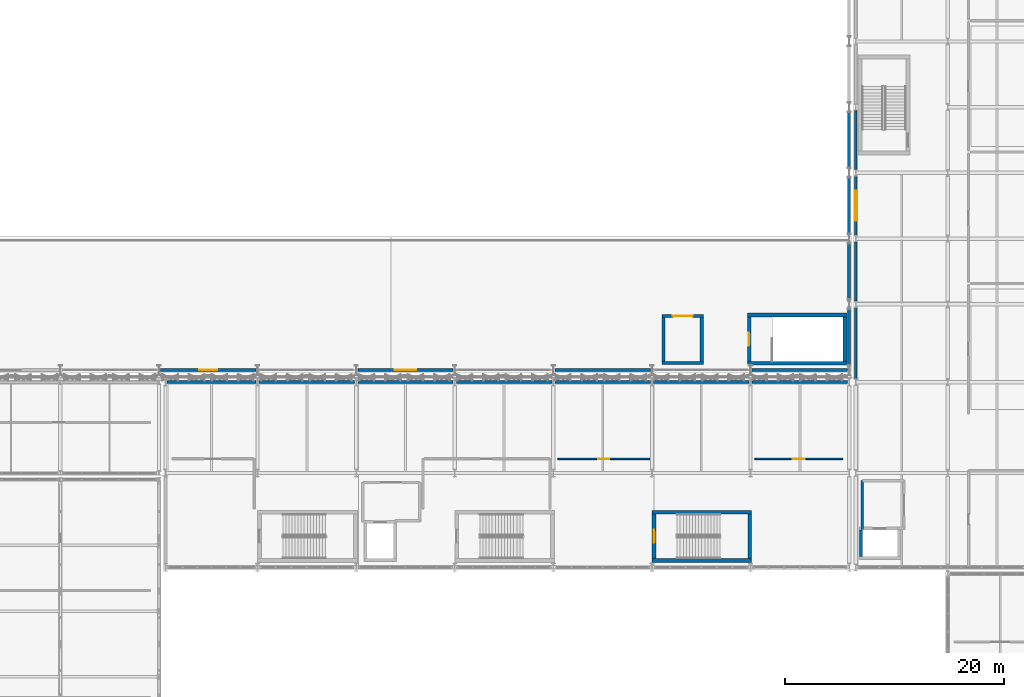
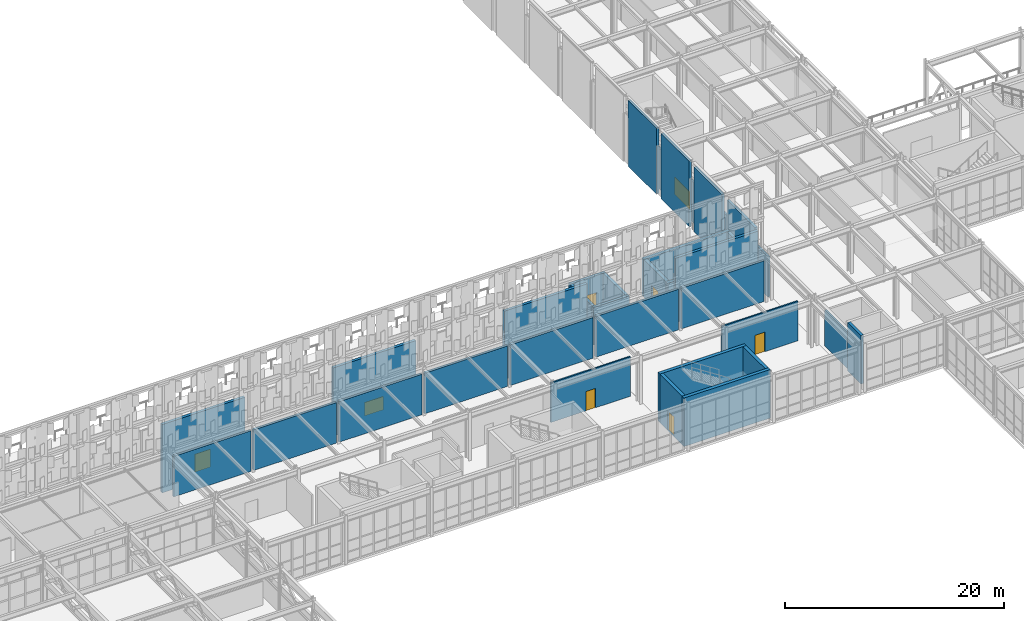
# One storey, part 157 of 210: 35 walls, 5 doors, 3 windows, 8 openings.
"""IFC4 building model written with IfcOpenShell, lengths in metres."""

from ifc_helpers import new_model, si_unit, direction, frame, frame_2d, origin, place, context, subcontext, project, spatial, rectangle, extrude, material, layer, layer_set, type_object, element, fill, save


model = new_model("IFC4")

# Units and contexts
model_context = context("Model", 3, precision=1e-05, world=origin(), true_north=direction((0.0, 1.0)))
body_context = subcontext(model_context, "Body", "Model", "MODEL_VIEW")
ifc_project = project(units=[si_unit("LENGTHUNIT", "METRE"), si_unit("AREAUNIT", "SQUARE_METRE"), si_unit("VOLUMEUNIT", "CUBIC_METRE"), si_unit("PLANEANGLEUNIT", "RADIAN"), si_unit("MASSUNIT", "GRAM", prefix="KILO")], contexts=[model_context])

# Site, building, storey
site_placement = place(None, origin())
site = spatial("IfcSite", under=ifc_project, at=site_placement, CompositionType="ELEMENT")
building_placement = place(site_placement, origin())
building = spatial("IfcBuilding", under=site, at=building_placement, Name="Kaldris Quays Convention Centre", CompositionType="ELEMENT")
storey_placement = place(building_placement, frame((0.0, 0.0, 6.0)))
storey = spatial("IfcBuildingStorey", under=building, at=storey_placement, Name="L01", CompositionType="ELEMENT", Elevation=6.0)

# Wall, opening, window
ifc_material_1 = material(Name="Precast concrete C40/50", Category="concrete")
ifc_layer_1 = layer(ifc_material_1, 0.2880859375)
ifc_layer_set_1 = layer_set([ifc_layer_1], Name="Precast concrete C40/50")
wall_type_1 = type_object("IfcWallType", Name="EXTERIOR WALL EW03", PredefinedType="STANDARD", material=ifc_layer_set_1)
wall_1_placement = place(storey_placement, frame((83.14599609375, 56.0, 0.0), z_axis=(0.0, 0.0, 1.0), x_axis=(1.0, 0.0, 0.0)))
wall_1 = element("IfcWall", 1, at=wall_1_placement, inside=storey, type_object=wall_type_1, Name="L01 Exterior Wall EW03 23", PredefinedType="STANDARD", context=body_context, shape_type="SweptSolid", body=[
    extrude(rectangle(XDim=8.7080078125, YDim=0.2880859375, at=frame_2d((4.35400390625, 0.0))), origin(), (0.0, 0.0, 1.0), 7.60009765625),
])
opening_1_placement = place(wall_1_placement, frame((3.529052734375, 0.0, 1.0)))
opening_1 = element("IfcOpeningElement", 2, at=opening_1_placement, cuts=wall_1, Name="Opening WN15", PredefinedType="OPENING", context=body_context, shape_type="SweptSolid", body=[
    extrude(rectangle(XDim=1.64990234375, YDim=2.0, at=frame_2d((0.824951171875, 1.0))), frame((0.0, 0.154052734375, 0.0), z_axis=(0.0, -1.0, 0.0), x_axis=(1.0, 0.0, 0.0)), (0.0, 0.0, 1.0), 0.30810546875),
])
ifc_material_2 = material(Name="Triple low-E insulated glazing", Category="glass")
window_type_1 = type_object("IfcWindowType", Name="TRIPLE GLAZED WINDOW WN15", PartitioningType="SINGLE_PANEL", PredefinedType="WINDOW", material=ifc_material_2)
window_1_placement = place(opening_1_placement, origin())
window_1 = element("IfcWindow", 3, at=window_1_placement, inside=storey, type_object=window_type_1, Name="L01 Exterior Window WN15 10", OverallHeight=2.0, OverallWidth=1.64990234375, PartitioningType="SINGLE_PANEL", PredefinedType="WINDOW", context=body_context, shape_type="SweptSolid", body=[
    extrude(rectangle(XDim=1.64990234375, YDim=2.0, at=frame_2d((0.824951171875, 1.0))), frame((0.0, 0.030029296875, 0.0), z_axis=(0.0, -1.0, 0.0), x_axis=(1.0, 0.0, 0.0)), (0.0, 0.0, 1.0), 0.06005859375),
])
fill(opening_1, window_1)

wall_2_placement = place(storey_placement, frame((101.14599609375, 56.0, 0.0), z_axis=(0.0, 0.0, 1.0), x_axis=(1.0, 0.0, 0.0)))
wall_2 = element("IfcWall", 4, at=wall_2_placement, inside=storey, type_object=wall_type_1, Name="L01 Exterior Wall EW03 29", PredefinedType="STANDARD", context=body_context, shape_type="SweptSolid", body=[
    extrude(rectangle(XDim=8.7080078125, YDim=0.2880859375, at=frame_2d((4.35400390625, 0.0))), origin(), (0.0, 0.0, 1.0), 7.60009765625),
])
opening_2_placement = place(wall_2_placement, frame((3.37890625, 0.0, 1.0)))
opening_2 = element("IfcOpeningElement", 5, at=opening_2_placement, cuts=wall_2, Name="Opening WN18", PredefinedType="OPENING", context=body_context, shape_type="SweptSolid", body=[
    extrude(rectangle(XDim=1.949951171875, YDim=1.5, at=frame_2d((0.97509765625, 0.75))), frame((0.0, 0.154052734375, 0.0), z_axis=(0.0, -1.0, 0.0), x_axis=(1.0, 0.0, 0.0)), (0.0, 0.0, 1.0), 0.30810546875),
])
window_type_2 = type_object("IfcWindowType", Name="TRIPLE GLAZED WINDOW WN18", PartitioningType="SINGLE_PANEL", PredefinedType="WINDOW", material=ifc_material_2)
window_2_placement = place(opening_2_placement, origin())
window_2 = element("IfcWindow", 6, at=window_2_placement, inside=storey, type_object=window_type_2, Name="L01 Exterior Window WN18 13", OverallHeight=1.5, OverallWidth=1.949951171875, PartitioningType="SINGLE_PANEL", PredefinedType="WINDOW", context=body_context, shape_type="SweptSolid", body=[
    extrude(rectangle(XDim=1.949951171875, YDim=1.5, at=frame_2d((0.97509765625, 0.75))), frame((0.0, 0.030029296875, 0.0), z_axis=(0.0, -1.0, 0.0), x_axis=(1.0, 0.0, 0.0)), (0.0, 0.0, 1.0), 0.06005859375),
])
fill(opening_2, window_2)

# Walls
wall_3_placement = place(storey_placement, frame((119.14599609375, 56.0, 0.0), z_axis=(0.0, 0.0, 1.0), x_axis=(1.0, 0.0, 0.0)))
element("IfcWall", 7, at=wall_3_placement, inside=storey, type_object=wall_type_1, Name="L01 Exterior Wall EW03 35", PredefinedType="STANDARD", context=body_context, shape_type="SweptSolid", body=[
    extrude(rectangle(XDim=8.7080078125, YDim=0.2880859375, at=frame_2d((4.35400390625, 0.0))), origin(), (0.0, 0.0, 1.0), 7.60009765625),
])
wall_4_placement = place(storey_placement, frame((137.14599609375, 56.0, 0.0), z_axis=(0.0, 0.0, 1.0), x_axis=(1.0, 0.0, 0.0)))
element("IfcWall", 8, at=wall_4_placement, inside=storey, type_object=wall_type_1, Name="L01 Exterior Wall EW03 41", PredefinedType="STANDARD", context=body_context, shape_type="SweptSolid", body=[
    extrude(rectangle(XDim=8.7080078125, YDim=0.2880859375, at=frame_2d((4.35400390625, 0.0))), origin(), (0.0, 0.0, 1.0), 7.18505859375),
])
ifc_layer_2 = layer(ifc_material_1, 0.263916015625)
ifc_layer_set_2 = layer_set([ifc_layer_2], Name="Precast concrete C40/50")
wall_type_2 = type_object("IfcWallType", Name="EXTERIOR WALL EW04", PredefinedType="STANDARD", material=ifc_layer_set_2)
wall_5_placement = place(storey_placement, frame((146.0, 56.446044921875, 0.0), z_axis=(0.0, 0.0, 1.0), x_axis=(0.0, 1.0, 0.0)))
element("IfcWall", 9, at=wall_5_placement, inside=storey, type_object=wall_type_2, Name="L01 Exterior Wall EW04 45", PredefinedType="STANDARD", context=body_context, shape_type="SweptSolid", body=[
    extrude(rectangle(XDim=5.10791015625, YDim=0.263916015625, at=frame_2d((2.553955078125, 0.0))), origin(), (0.0, 0.0, 1.0), 7.18505859375),
])
wall_6_placement = place(storey_placement, frame((146.0, 62.446044921875, 0.0), z_axis=(0.0, 0.0, 1.0), x_axis=(0.0, 1.0, 0.0)))
element("IfcWall", 10, at=wall_6_placement, inside=storey, type_object=wall_type_2, Name="L01 Exterior Wall EW04 49", PredefinedType="STANDARD", context=body_context, shape_type="SweptSolid", body=[
    extrude(rectangle(XDim=5.10791015625, YDim=0.263916015625, at=frame_2d((2.553955078125, 0.0))), origin(), (0.0, 0.0, 1.0), 7.22509765625),
])
wall_7_placement = place(storey_placement, frame((146.0, 68.446044921875, 0.0), z_axis=(0.0, 0.0, 1.0), x_axis=(0.0, 1.0, 0.0)))
element("IfcWall", 11, at=wall_7_placement, inside=storey, type_object=wall_type_2, Name="L01 Exterior Wall EW04 52", PredefinedType="STANDARD", context=body_context, shape_type="SweptSolid", body=[
    extrude(rectangle(XDim=5.10791015625, YDim=0.263916015625, at=frame_2d((2.553955078125, 0.0))), origin(), (0.0, 0.0, 1.0), 7.304931640625),
])
wall_8_placement = place(storey_placement, frame((146.0, 74.446044921875, 0.0), z_axis=(0.0, 0.0, 1.0), x_axis=(0.0, 1.0, 0.0)))
element("IfcWall", 12, at=wall_8_placement, inside=storey, type_object=wall_type_2, Name="L01 Exterior Wall EW04 56", PredefinedType="STANDARD", context=body_context, shape_type="SweptSolid", body=[
    extrude(rectangle(XDim=5.10791015625, YDim=0.263916015625, at=frame_2d((2.553955078125, 0.0))), origin(), (0.0, 0.0, 1.0), 7.344970703125),
])
wall_9_placement = place(storey_placement, frame((83.74609375, 54.89990234375, 0.0), z_axis=(0.0, 0.0, 1.0), x_axis=(1.0, 0.0, 0.0)))
element("IfcWall", 13, at=wall_9_placement, inside=storey, type_object=wall_type_2, Name="L01 Exterior Wall EW04 239", PredefinedType="STANDARD", context=body_context, shape_type="SweptSolid", body=[
    extrude(rectangle(XDim=8.10791015625, YDim=0.263916015625, at=frame_2d((4.053955078125, 0.0))), origin(), (0.0, 0.0, 1.0), 4.51806640625),
])
for number, where, z_axis, x_axis, name in (
    (14, (92.14599609375, 54.89990234375, 0.0), (0.0, 0.0, 1.0), (1.0, 0.0, 0.0), "L01 Exterior Wall EW04 240"),
    (15, (101.14599609375, 54.89990234375, 0.0), (0.0, 0.0, 1.0), (1.0, 0.0, 0.0), "L01 Exterior Wall EW04 241"),
    (16, (110.14599609375, 54.89990234375, 0.0), (0.0, 0.0, 1.0), (1.0, 0.0, 0.0), "L01 Exterior Wall EW04 242"),
    (17, (119.14599609375, 54.89990234375, 0.0), (0.0, 0.0, 1.0), (1.0, 0.0, 0.0), "L01 Exterior Wall EW04 243"),
    (18, (128.14599609375, 54.89990234375, 0.0), (0.0, 0.0, 1.0), (1.0, 0.0, 0.0), "L01 Exterior Wall EW04 244"),
    (19, (137.14599609375, 54.89990234375, 0.0), (0.0, 0.0, 1.0), (1.0, 0.0, 0.0), "L01 Exterior Wall EW04 245"),
):
    element("IfcWall", number, at=place(storey_placement, frame(where, z_axis=z_axis, x_axis=x_axis)), inside=storey, type_object=wall_type_2, Name=name, PredefinedType="STANDARD", context=body_context, shape_type="SweptSolid", body=[
        extrude(rectangle(XDim=8.7080078125, YDim=0.263916015625, at=frame_2d((4.35400390625, 0.0))), origin(), (0.0, 0.0, 1.0), 4.51806640625),
    ])
ifc_material_3 = material(Name="Anodized aluminium insulated cassette", Category="aluminium")
ifc_layer_3 = layer(ifc_material_3, 0.201904296875)
ifc_layer_set_3 = layer_set([ifc_layer_3], Name="Anodized aluminium insulated cassette")
wall_type_3 = type_object("IfcWallType", Name="EXTERIOR WALL EW07", PredefinedType="STANDARD", material=ifc_layer_set_3)
wall_10_placement = place(storey_placement, frame((146.60009765625, 55.196044921875, 0.0), z_axis=(0.0, 0.0, 1.0), x_axis=(0.0, 1.0, 0.0)))
element("IfcWall", 20, at=wall_10_placement, inside=storey, type_object=wall_type_3, Name="L01 Exterior Wall EW07 290", PredefinedType="STANDARD", context=body_context, shape_type="SweptSolid", body=[
    extrude(rectangle(XDim=6.508056640625, YDim=0.201904296875, at=frame_2d((3.25390625, 0.0))), origin(), (0.0, 0.0, 1.0), 4.51806640625),
])
wall_11_placement = place(storey_placement, frame((146.60009765625, 62.2958984375, 0.0), z_axis=(0.0, 0.0, 1.0), x_axis=(0.0, 1.0, 0.0)))
element("IfcWall", 21, at=wall_11_placement, inside=storey, type_object=wall_type_3, Name="L01 Exterior Wall EW07 292", PredefinedType="STANDARD", context=body_context, shape_type="SweptSolid", body=[
    extrude(rectangle(XDim=5.408203125, YDim=0.201904296875, at=frame_2d((2.7041015625, 0.0))), origin(), (0.0, 0.0, 1.0), 4.51806640625),
])

# Wall, opening, window
wall_12_placement = place(storey_placement, frame((146.60009765625, 68.2958984375, 0.0), z_axis=(0.0, 0.0, 1.0), x_axis=(0.0, 1.0, 0.0)))
wall_12 = element("IfcWall", 22, at=wall_12_placement, inside=storey, type_object=wall_type_3, Name="L01 Exterior Wall EW07 294", PredefinedType="STANDARD", context=body_context, shape_type="SweptSolid", body=[
    extrude(rectangle(XDim=5.408203125, YDim=0.201904296875, at=frame_2d((2.7041015625, 0.0))), origin(), (0.0, 0.0, 1.0), 4.51806640625),
])
opening_3_placement = place(wall_12_placement, frame((1.35400390625, 0.0, 1.0)))
opening_3 = element("IfcOpeningElement", 23, at=opening_3_placement, cuts=wall_12, Name="Opening WN05", PredefinedType="OPENING", context=body_context, shape_type="SweptSolid", body=[
    extrude(rectangle(XDim=2.699951171875, YDim=1.949951171875, at=frame_2d((1.35009765625, 0.97509765625))), frame((0.0, 0.11083984375, 0.0), z_axis=(0.0, -1.0, 0.0), x_axis=(1.0, 0.0, 0.0)), (0.0, 0.0, 1.0), 0.221923828125),
])
window_type_3 = type_object("IfcWindowType", Name="TRIPLE GLAZED WINDOW WN05", PartitioningType="SINGLE_PANEL", PredefinedType="WINDOW", material=ifc_material_2)
window_3_placement = place(opening_3_placement, origin())
window_3 = element("IfcWindow", 24, at=window_3_placement, inside=storey, type_object=window_type_3, Name="L01 Exterior Window WN05 91", OverallHeight=1.949951171875, OverallWidth=2.699951171875, PartitioningType="SINGLE_PANEL", PredefinedType="WINDOW", context=body_context, shape_type="SweptSolid", body=[
    extrude(rectangle(XDim=2.699951171875, YDim=1.949951171875, at=frame_2d((1.35009765625, 0.97509765625))), frame((0.0, 0.030029296875, 0.0), z_axis=(0.0, -1.0, 0.0), x_axis=(1.0, 0.0, 0.0)), (0.0, 0.0, 1.0), 0.06005859375),
])
fill(opening_3, window_3)

# Walls
wall_13_placement = place(storey_placement, frame((146.60009765625, 74.2958984375, 0.0), z_axis=(0.0, 0.0, 1.0), x_axis=(0.0, 1.0, 0.0)))
element("IfcWall", 25, at=wall_13_placement, inside=storey, type_object=wall_type_3, Name="L01 Exterior Wall EW07 296", PredefinedType="STANDARD", context=body_context, shape_type="SweptSolid", body=[
    extrude(rectangle(XDim=5.408203125, YDim=0.201904296875, at=frame_2d((2.7041015625, 0.0))), origin(), (0.0, 0.0, 1.0), 4.51806640625),
])
ifc_material_4 = material(Name="Concrete C35/45", Category="concrete")
ifc_layer_4 = layer(ifc_material_4, 0.199951171875)
ifc_layer_set_4 = layer_set([ifc_layer_4], Name="Concrete C35/45")
wall_type_4 = type_object("IfcWallType", Name="INTERIOR WALL IW01", PredefinedType="PARTITIONING", material=ifc_layer_set_4)
wall_14_placement = place(storey_placement, frame((147.199951171875, 41.449951171875, 0.0), z_axis=(0.0, 0.0, 1.0), x_axis=(0.0, 1.0, 0.0)))
element("IfcWall", 26, at=wall_14_placement, inside=storey, type_object=wall_type_4, Name="L01 Firefighting Lift Lobby FL02 Wall W", PredefinedType="PARTITIONING", context=body_context, shape_type="SweptSolid", body=[
    extrude(rectangle(XDim=4.449951171875, YDim=0.199951171875, at=frame_2d((2.22509765625, 0.0))), origin(), (0.0, 0.0, 1.0), 4.0),
])

# Wall, opening, door
ifc_material_5 = material(Name="Acoustic gypsum stud partition", Category="gypsum")
ifc_layer_5 = layer(ifc_material_5, 0.14794921875)
ifc_layer_set_5 = layer_set([ifc_layer_5], Name="Acoustic gypsum stud partition")
wall_type_5 = type_object("IfcWallType", Name="INTERIOR WALL IW04", PredefinedType="PARTITIONING", material=ifc_layer_set_5)
wall_15_placement = place(storey_placement, frame((119.39990234375, 47.89990234375, 0.0), z_axis=(0.0, 0.0, 1.0), x_axis=(1.0, 0.0, 0.0)))
wall_15 = element("IfcWall", 27, at=wall_15_placement, inside=storey, type_object=wall_type_5, Name="L01 Interior Wall IW04 58", PredefinedType="PARTITIONING", context=body_context, shape_type="SweptSolid", body=[
    extrude(rectangle(XDim=8.400146484375, YDim=0.14794921875, at=frame_2d((4.2001953125, 0.0))), origin(), (0.0, 0.0, 1.0), 4.39990234375),
])
opening_4_placement = place(wall_15_placement, frame((3.699951171875, 0.0, 0.0)))
opening_4 = element("IfcOpeningElement", 28, at=opening_4_placement, cuts=wall_15, Name="Opening ID04", PredefinedType="OPENING", context=body_context, shape_type="SweptSolid", body=[
    extrude(rectangle(XDim=1.0, YDim=2.14990234375, at=frame_2d((0.5, 1.074951171875))), frame((0.0, 0.083984375, 0.0), z_axis=(0.0, -1.0, 0.0), x_axis=(1.0, 0.0, 0.0)), (0.0, 0.0, 1.0), 0.16796875),
])
ifc_material_6 = material(Name="Timber acoustic leaf in steel frame", Category="steel")
door_type_1 = type_object("IfcDoorType", Name="INTERIOR DOOR ID04", OperationType="NOTDEFINED", PredefinedType="DOOR", material=ifc_material_6)
door_1_placement = place(opening_4_placement, origin())
door_1 = element("IfcDoor", 29, at=door_1_placement, inside=storey, type_object=door_type_1, Name="L01 Interior Door ID04 40", OperationType="SINGLE_SWING_RIGHT", OverallHeight=2.14990234375, OverallWidth=1.0, PredefinedType="DOOR", context=body_context, shape_type="SweptSolid", body=[
    extrude(rectangle(XDim=1.0, YDim=2.14990234375, at=frame_2d((0.5, 1.074951171875))), frame((0.0, 0.02490234375, 0.0), z_axis=(0.0, -1.0, 0.0), x_axis=(1.0, 0.0, 0.0)), (0.0, 0.0, 1.0), 0.050048828125),
])
fill(opening_4, door_1)

wall_16_placement = place(storey_placement, frame((137.39990234375, 47.89990234375, 0.0), z_axis=(0.0, 0.0, 1.0), x_axis=(1.0, 0.0, 0.0)))
wall_16 = element("IfcWall", 30, at=wall_16_placement, inside=storey, type_object=wall_type_5, Name="L01 Interior Wall IW04 59", PredefinedType="PARTITIONING", context=body_context, shape_type="SweptSolid", body=[
    extrude(rectangle(XDim=8.0, YDim=0.14794921875, at=frame_2d((4.0, 0.0))), origin(), (0.0, 0.0, 1.0), 4.39990234375),
])
opening_5_placement = place(wall_16_placement, frame((3.469970703125, 0.0, 0.0)))
opening_5 = element("IfcOpeningElement", 31, at=opening_5_placement, cuts=wall_16, Name="Opening ID05", PredefinedType="OPENING", context=body_context, shape_type="SweptSolid", body=[
    extrude(rectangle(XDim=1.06005859375, YDim=2.179931640625, at=frame_2d((0.530029296875, 1.08984375))), frame((0.0, 0.083984375, 0.0), z_axis=(0.0, -1.0, 0.0), x_axis=(1.0, 0.0, 0.0)), (0.0, 0.0, 1.0), 0.16796875),
])
door_type_2 = type_object("IfcDoorType", Name="INTERIOR DOOR ID05", OperationType="NOTDEFINED", PredefinedType="DOOR", material=ifc_material_6)
door_2_placement = place(opening_5_placement, origin())
door_2 = element("IfcDoor", 32, at=door_2_placement, inside=storey, type_object=door_type_2, Name="L01 Interior Door ID05 41", OperationType="SINGLE_SWING_LEFT", OverallHeight=2.179931640625, OverallWidth=1.06005859375, PredefinedType="DOOR", context=body_context, shape_type="SweptSolid", body=[
    extrude(rectangle(XDim=1.06005859375, YDim=2.179931640625, at=frame_2d((0.530029296875, 1.08984375))), frame((0.0, 0.02490234375, 0.0), z_axis=(0.0, -1.0, 0.0), x_axis=(1.0, 0.0, 0.0)), (0.0, 0.0, 1.0), 0.050048828125),
])
fill(opening_5, door_2)

# Walls
ifc_material_7 = material(Name="Concrete C40/50", Category="concrete")
ifc_layer_6 = layer(ifc_material_7, 0.35009765625)
ifc_layer_set_6 = layer_set([ifc_layer_6], Name="Concrete C40/50")
wall_type_6 = type_object("IfcWallType", Name="STRUCTURAL WALL SW01", PredefinedType="SHEAR", material=ifc_layer_set_6)
for number, where, z_axis, x_axis, name in (
    (33, (136.699951171875, 56.625, 0.0), (0.0, 0.0, 1.0), (1.0, 0.0, 0.0), "L01 Core Shear Wall CORE-ST02-L01-S"),
    (34, (136.699951171875, 61.02490234375, 0.0), (0.0, 0.0, 1.0), (1.0, 0.0, 0.0), "L01 Core Shear Wall CORE-ST02-L01-N"),
):
    element("IfcWall", number, at=place(storey_placement, frame(where, z_axis=z_axis, x_axis=x_axis)), inside=storey, type_object=wall_type_6, Name=name, PredefinedType="SHEAR", context=body_context, shape_type="SweptSolid", body=[
        extrude(rectangle(XDim=9.10009765625, YDim=0.35009765625, at=frame_2d((4.550048828125, 0.0))), origin(), (0.0, 0.0, 1.0), 4.199951171875),
    ])

# Wall, opening, door
wall_17_placement = place(storey_placement, frame((136.875, 56.800048828125, 0.0), z_axis=(0.0, 0.0, 1.0), x_axis=(0.0, 1.0, 0.0)))
wall_17 = element("IfcWall", 35, at=wall_17_placement, inside=storey, type_object=wall_type_6, Name="L01 Core Shear Wall CORE-ST02-L01-W", PredefinedType="SHEAR", context=body_context, shape_type="SweptSolid", body=[
    extrude(rectangle(XDim=4.050048828125, YDim=0.35009765625, at=frame_2d((2.02490234375, 0.0))), origin(), (0.0, 0.0, 1.0), 4.199951171875),
])
opening_6_placement = place(wall_17_placement, frame((1.425048828125, 0.0, 0.0)))
opening_6 = element("IfcOpeningElement", 36, at=opening_6_placement, cuts=wall_17, Name="Opening ID03", PredefinedType="OPENING", context=body_context, shape_type="SweptSolid", body=[
    extrude(rectangle(XDim=1.199951171875, YDim=2.199951171875, at=frame_2d((0.60009765625, 1.10009765625))), frame((0.0, 0.18505859375, 0.0), z_axis=(0.0, -1.0, 0.0), x_axis=(1.0, 0.0, 0.0)), (0.0, 0.0, 1.0), 0.3701171875),
])
ifc_material_8 = material(Name="Steel S355J2 fire-resisting door", Category="steel")
door_type_3 = type_object("IfcDoorType", Name="INTERIOR DOOR ID03", OperationType="NOTDEFINED", PredefinedType="DOOR", material=ifc_material_8)
door_3_placement = place(opening_6_placement, frame((1.199951171875, 0.0, 0.0), z_axis=(0.0, 0.0, 1.0), x_axis=(-1.0, 0.0, 0.0)))
door_3 = element("IfcDoor", 37, at=door_3_placement, inside=storey, type_object=door_type_3, Name="L01 Escape Stair ST02 Fire Door", OperationType="SINGLE_SWING_RIGHT", OverallHeight=2.199951171875, OverallWidth=1.199951171875, PredefinedType="DOOR", context=body_context, shape_type="SweptSolid", body=[
    extrude(rectangle(XDim=1.199951171875, YDim=2.199951171875, at=frame_2d((0.60009765625, 1.10009765625))), frame((0.0, 0.02490234375, 0.0), z_axis=(0.0, -1.0, 0.0), x_axis=(1.0, 0.0, 0.0)), (0.0, 0.0, 1.0), 0.050048828125),
])
fill(opening_6, door_3)

# Walls
wall_18_placement = place(storey_placement, frame((145.625, 56.800048828125, 0.0), z_axis=(0.0, 0.0, 1.0), x_axis=(0.0, 1.0, 0.0)))
element("IfcWall", 38, at=wall_18_placement, inside=storey, type_object=wall_type_6, Name="L01 Core Shear Wall CORE-ST02-L01-E", PredefinedType="SHEAR", context=body_context, shape_type="SweptSolid", body=[
    extrude(rectangle(XDim=4.050048828125, YDim=0.35009765625, at=frame_2d((2.02490234375, 0.0))), origin(), (0.0, 0.0, 1.0), 4.199951171875),
])
for number, where, z_axis, x_axis, name in (
    (39, (128.0, 38.625, 0.0), (0.0, 0.0, 1.0), (1.0, 0.0, 0.0), "L01 Core Shear Wall CORE-ST12-L01-S"),
    (40, (128.0, 43.02490234375, 0.0), (0.0, 0.0, 1.0), (1.0, 0.0, 0.0), "L01 Core Shear Wall CORE-ST12-L01-N"),
):
    element("IfcWall", number, at=place(storey_placement, frame(where, z_axis=z_axis, x_axis=x_axis)), inside=storey, type_object=wall_type_6, Name=name, PredefinedType="SHEAR", context=body_context, shape_type="SweptSolid", body=[
        extrude(rectangle(XDim=9.10009765625, YDim=0.35009765625, at=frame_2d((4.550048828125, 0.0))), origin(), (0.0, 0.0, 1.0), 5.39990234375),
    ])

# Wall, opening, door
wall_19_placement = place(storey_placement, frame((128.175048828125, 38.800048828125, 0.0), z_axis=(0.0, 0.0, 1.0), x_axis=(0.0, 1.0, 0.0)))
wall_19 = element("IfcWall", 41, at=wall_19_placement, inside=storey, type_object=wall_type_6, Name="L01 Core Shear Wall CORE-ST12-L01-W", PredefinedType="SHEAR", context=body_context, shape_type="SweptSolid", body=[
    extrude(rectangle(XDim=4.050048828125, YDim=0.35009765625, at=frame_2d((2.02490234375, 0.0))), origin(), (0.0, 0.0, 1.0), 5.39990234375),
])
opening_7_placement = place(wall_19_placement, frame((1.425048828125, 0.0, 0.0)))
opening_7 = element("IfcOpeningElement", 42, at=opening_7_placement, cuts=wall_19, Name="Opening ID03", PredefinedType="OPENING", context=body_context, shape_type="SweptSolid", body=[
    extrude(rectangle(XDim=1.199951171875, YDim=2.199951171875, at=frame_2d((0.60009765625, 1.10009765625))), frame((0.0, 0.18505859375, 0.0), z_axis=(0.0, -1.0, 0.0), x_axis=(1.0, 0.0, 0.0)), (0.0, 0.0, 1.0), 0.3701171875),
])
door_4_placement = place(opening_7_placement, frame((1.199951171875, 0.0, 0.0), z_axis=(0.0, 0.0, 1.0), x_axis=(-1.0, 0.0, 0.0)))
door_4 = element("IfcDoor", 43, at=door_4_placement, inside=storey, type_object=door_type_3, Name="L01 Escape Stair ST12 Fire Door", OperationType="SINGLE_SWING_LEFT", OverallHeight=2.199951171875, OverallWidth=1.199951171875, PredefinedType="DOOR", context=body_context, shape_type="SweptSolid", body=[
    extrude(rectangle(XDim=1.199951171875, YDim=2.199951171875, at=frame_2d((0.60009765625, 1.10009765625))), frame((0.0, 0.02490234375, 0.0), z_axis=(0.0, -1.0, 0.0), x_axis=(1.0, 0.0, 0.0)), (0.0, 0.0, 1.0), 0.050048828125),
])
fill(opening_7, door_4)

# Walls
wall_20_placement = place(storey_placement, frame((136.925048828125, 38.800048828125, 0.0), z_axis=(0.0, 0.0, 1.0), x_axis=(0.0, 1.0, 0.0)))
element("IfcWall", 44, at=wall_20_placement, inside=storey, type_object=wall_type_6, Name="L01 Core Shear Wall CORE-ST12-L01-E", PredefinedType="SHEAR", context=body_context, shape_type="SweptSolid", body=[
    extrude(rectangle(XDim=4.050048828125, YDim=0.35009765625, at=frame_2d((2.02490234375, 0.0))), origin(), (0.0, 0.0, 1.0), 5.39990234375),
])
ifc_layer_7 = layer(ifc_material_7, 0.280029296875)
ifc_layer_set_7 = layer_set([ifc_layer_7], Name="Concrete C40/50")
wall_type_7 = type_object("IfcWallType", Name="STRUCTURAL WALL SW03", PredefinedType="SHEAR", material=ifc_layer_set_7)
wall_21_placement = place(storey_placement, frame((147.06005859375, 39.0, 0.0), z_axis=(0.0, 0.0, 1.0), x_axis=(0.0, 1.0, 0.0)))
element("IfcWall", 45, at=wall_21_placement, inside=storey, type_object=wall_type_7, Name="L01 Core Shear Wall LSHAFT-FL02-L01-W", PredefinedType="SHEAR", context=body_context, shape_type="SweptSolid", body=[
    extrude(rectangle(XDim=2.39990234375, YDim=0.280029296875, at=frame_2d((1.199951171875, 0.0))), origin(), (0.0, 0.0, 1.0), 5.39990234375),
])
wall_22_placement = place(storey_placement, frame((128.919921875, 56.659912109375, 0.0), z_axis=(0.0, 0.0, 1.0), x_axis=(1.0, 0.0, 0.0)))
element("IfcWall", 46, at=wall_22_placement, inside=storey, type_object=wall_type_7, Name="L01 Core Shear Wall LSHAFT-GL01-L01-S", PredefinedType="SHEAR", context=body_context, shape_type="SweptSolid", body=[
    extrude(rectangle(XDim=3.760009765625, YDim=0.280029296875, at=frame_2d((1.8798828125, 0.0))), origin(), (0.0, 0.0, 1.0), 4.199951171875),
])

# Wall, opening, door
wall_23_placement = place(storey_placement, frame((128.919921875, 60.93994140625, 0.0), z_axis=(0.0, 0.0, 1.0), x_axis=(1.0, 0.0, 0.0)))
wall_23 = element("IfcWall", 47, at=wall_23_placement, inside=storey, type_object=wall_type_7, Name="L01 Core Shear Wall LSHAFT-GL01-L01-N", PredefinedType="SHEAR", context=body_context, shape_type="SweptSolid", body=[
    extrude(rectangle(XDim=3.760009765625, YDim=0.280029296875, at=frame_2d((1.8798828125, 0.0))), origin(), (0.0, 0.0, 1.0), 4.199951171875),
])
opening_8_placement = place(wall_23_placement, frame((0.97998046875, 0.0, 0.0)))
opening_8 = element("IfcOpeningElement", 48, at=opening_8_placement, cuts=wall_23, Name="Opening LD02", PredefinedType="OPENING", context=body_context, shape_type="SweptSolid", body=[
    extrude(rectangle(XDim=1.800048828125, YDim=2.300048828125, at=frame_2d((0.89990234375, 1.14990234375))), frame((0.0, 0.14990234375, 0.0), z_axis=(0.0, -1.0, 0.0), x_axis=(1.0, 0.0, 0.0)), (0.0, 0.0, 1.0), 0.300048828125),
])
ifc_material_9 = material(Name="Stainless steel 1.4301 freight lift landing door", Category="steel")
door_type_4 = type_object("IfcDoorType", Name="INTERIOR DOOR LD02", OperationType="DOUBLE_DOOR_SLIDING", PredefinedType="DOOR", material=ifc_material_9)
door_5_placement = place(opening_8_placement, origin())
door_5 = element("IfcDoor", 49, at=door_5_placement, inside=storey, type_object=door_type_4, Name="L01 GL01 Sliding Lift Landing Door", OperationType="DOUBLE_DOOR_SLIDING", OverallHeight=2.300048828125, OverallWidth=1.800048828125, PredefinedType="DOOR", context=body_context, shape_type="SweptSolid", body=[
    extrude(rectangle(XDim=1.800048828125, YDim=2.300048828125, at=frame_2d((0.89990234375, 1.14990234375))), frame((0.0, 0.02490234375, 0.0), z_axis=(0.0, -1.0, 0.0), x_axis=(1.0, 0.0, 0.0)), (0.0, 0.0, 1.0), 0.050048828125),
])
fill(opening_8, door_5)

# Walls
for number, where, z_axis, x_axis, name in (
    (50, (129.06005859375, 56.800048828125, 0.0), (0.0, 0.0, 1.0), (0.0, 1.0, 0.0), "L01 Core Shear Wall LSHAFT-GL01-L01-W"),
    (51, (132.5400390625, 56.800048828125, 0.0), (0.0, 0.0, 1.0), (0.0, 1.0, 0.0), "L01 Core Shear Wall LSHAFT-GL01-L01-E"),
):
    element("IfcWall", number, at=place(storey_placement, frame(where, z_axis=z_axis, x_axis=x_axis)), inside=storey, type_object=wall_type_7, Name=name, PredefinedType="SHEAR", context=body_context, shape_type="SweptSolid", body=[
        extrude(rectangle(XDim=4.0, YDim=0.280029296875, at=frame_2d((2.0, 0.0))), origin(), (0.0, 0.0, 1.0), 4.199951171875),
    ])

save(model, "model.ifc")
